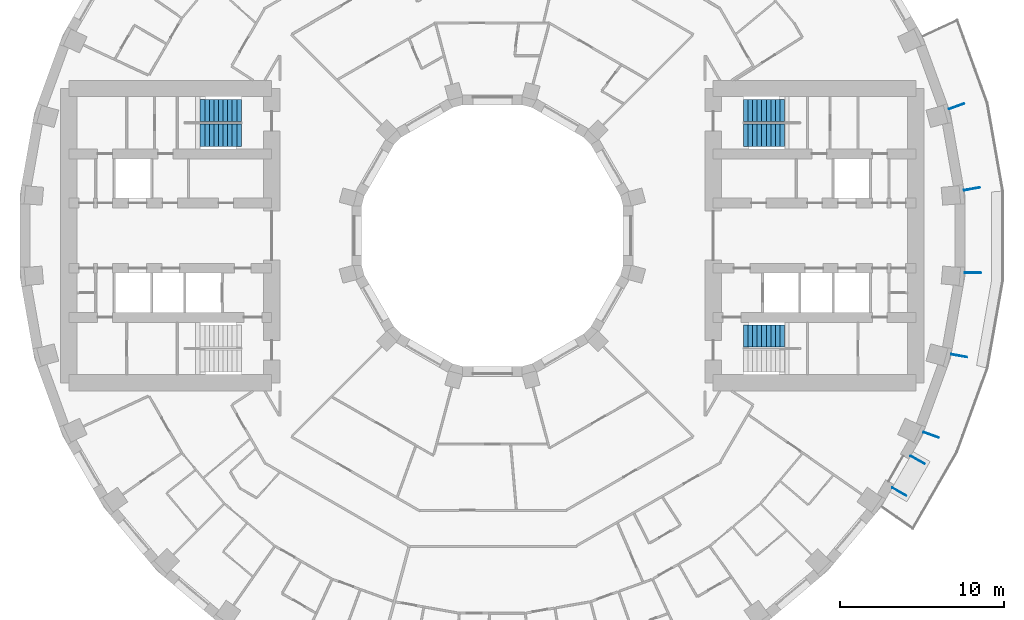
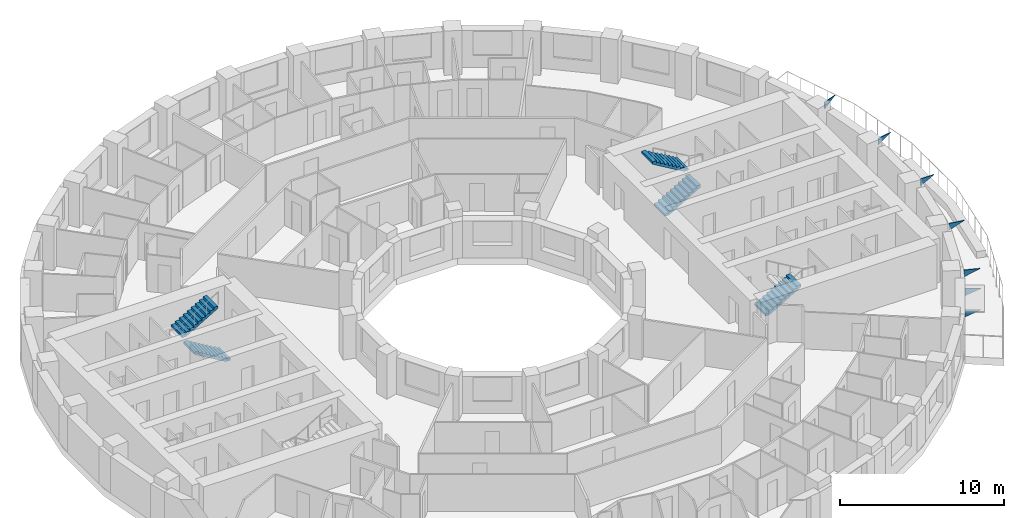
# One storey, part 13 of 14: 7 discrete accessories, 5 stair flights, 3 elements without a shape of their own.
"""IFC4 building model written with IfcOpenShell, lengths in metres."""

import ifcopenshell
import ifcopenshell.guid

model = None  # the IFC model being written
_history = None  # IfcOwnerHistory: only IFC2X3 demands one
_inside = {}  # id of a spatial element -> (the spatial element, [elements in it])
_under = {}  # id of a project, library or spatial element -> (it, [spatial elements below it])
_declared = {}  # id of a project -> (the project, [libraries it declares])
_typed = {}  # id of a type object -> (the type object, [elements of that type])
_made_of = {}  # id of a material, layer set ... -> (it, [elements and type objects made of it])


def new_model(schema):
    """Start an empty IFC model of exactly this schema.

    Asked for "IFC4X3", IfcOpenShell would pick the latest addendum, in which some entities
    have other attributes; the version numbers below select the first issue.
    IFC2X3 requires an IfcOwnerHistory on every rooted entity: one is made here for all.
    """
    global model, _history
    if schema == "IFC4X3":
        model = ifcopenshell.file(schema_version=(4, 3, 0, 0))
    else:
        model = ifcopenshell.file(schema=schema)
    _inside.clear()
    _under.clear()
    _declared.clear()
    _typed.clear()
    _made_of.clear()
    _history = None
    if model.schema == "IFC2X3":
        org = make("IfcOrganization", Name="unknown")
        user = make(
            "IfcPersonAndOrganization",
            ThePerson=make("IfcPerson", FamilyName="unknown"),
            TheOrganization=org,
        )
        app = make(
            "IfcApplication",
            ApplicationDeveloper=org,
            Version="unknown",
            ApplicationFullName="unknown",
            ApplicationIdentifier="unknown",
        )
        _history = make(
            "IfcOwnerHistory",
            OwningUser=user,
            OwningApplication=app,
            ChangeAction="ADDED",
            CreationDate=0,
        )
    return model


def make(cls, **values):
    """One entity of the class cls with the attributes given. An attribute that is None is left unset."""
    return model.create_entity(
        cls, **{name: value for name, value in values.items() if value is not None}
    )


def rooted(cls, **values):
    """An entity with a GlobalId (a new one), such as an element, a storey or a relation."""
    return make(cls, GlobalId=ifcopenshell.guid.new(), OwnerHistory=_history, **values)


def si_unit(unit_type, name, prefix=None):
    """IfcSIUnit, for example si_unit("LENGTHUNIT", "METRE", prefix="MILLI")."""
    return make("IfcSIUnit", UnitType=unit_type, Prefix=prefix, Name=name)


def assignment(units):
    """IfcUnitAssignment: the units of a project."""
    return None if units is None else make("IfcUnitAssignment", Units=units)


def point(xyz):
    """IfcCartesianPoint."""
    return None if xyz is None else make("IfcCartesianPoint", Coordinates=xyz)


def direction(xyz):
    """IfcDirection."""
    return None if xyz is None else make("IfcDirection", DirectionRatios=xyz)


def frame(location, z_axis=None, x_axis=None):
    """IfcAxis2Placement3D, a coordinate frame: its origin and axes. An axis left out is left unset."""
    return make(
        "IfcAxis2Placement3D",
        Location=point(location),
        Axis=direction(z_axis),
        RefDirection=direction(x_axis),
    )


def origin():
    """The frame at (0, 0, 0) with its axes left unset."""
    return frame((0.0, 0.0, 0.0))


def place(relative_to, where):
    """IfcLocalPlacement: puts the frame where relative to a parent placement (None: the world)."""
    return make(
        "IfcLocalPlacement", PlacementRelTo=relative_to, RelativePlacement=where
    )


def context(
    kind, dimensions, precision=None, world=None, true_north=None, identifier=None
):
    """IfcGeometricRepresentationContext, for example the 3D "Model" context."""
    return make(
        "IfcGeometricRepresentationContext",
        ContextIdentifier=identifier,
        ContextType=kind,
        CoordinateSpaceDimension=dimensions,
        Precision=precision,
        WorldCoordinateSystem=world,
        TrueNorth=true_north,
    )


def subcontext(parent, identifier, kind, view, scale=None):
    """IfcGeometricRepresentationSubContext, for example "Body" below "Model"."""
    return make(
        "IfcGeometricRepresentationSubContext",
        ContextIdentifier=identifier,
        ContextType=kind,
        ParentContext=parent,
        TargetScale=scale,
        TargetView=view,
    )


def project(units=None, contexts=None):
    """IfcProject with its units and contexts."""
    return rooted(
        "IfcProject",
        Name="project",
        RepresentationContexts=contexts,
        UnitsInContext=assignment(units),
    )


def spatial(cls, under=None, at=None, **own):
    """A site, building, storey or space (cls), placed at a placement, below another one or the project."""
    s = rooted(cls, ObjectPlacement=at, **own)
    if under is not None:
        _under.setdefault(under.id(), (under, []))[1].append(s)
    return s


def polyline(points):
    """IfcPolyline through the points."""
    return make("IfcPolyline", Points=[point(p) for p in points])


def outline(outer, holes=None, kind="AREA"):
    """IfcArbitraryClosedProfileDef: a profile drawn as a closed curve; with holes, ...WithVoids."""
    if holes is None:
        return make("IfcArbitraryClosedProfileDef", ProfileType=kind, OuterCurve=outer)
    return make(
        "IfcArbitraryProfileDefWithVoids",
        ProfileType=kind,
        OuterCurve=outer,
        InnerCurves=holes,
    )


def extrude(swept, where, along, depth):
    """IfcExtrudedAreaSolid: the profile swept, set in the frame where, extruded along a direction by depth."""
    return make(
        "IfcExtrudedAreaSolid",
        SweptArea=swept,
        Position=where,
        ExtrudedDirection=direction(along),
        Depth=depth,
    )


def shape(context_of_items, identifier, shape_type, items):
    """IfcShapeRepresentation: the items that make up one representation, for example the "Body"."""
    return make(
        "IfcShapeRepresentation",
        ContextOfItems=context_of_items,
        RepresentationIdentifier=identifier,
        RepresentationType=shape_type,
        Items=items,
    )


def material(Name=None, Category=None):
    """IfcMaterial."""
    return make("IfcMaterial", Name=Name, Category=Category)


def layer(
    of_material, thickness, ventilated=None, Name=None, Category=None, Priority=None
):
    """IfcMaterialLayer: one layer of a wall or slab, of a material (None: an air gap)."""
    return make(
        "IfcMaterialLayer",
        Material=of_material,
        LayerThickness=thickness,
        IsVentilated=ventilated,
        Name=Name,
        Category=Category,
        Priority=Priority,
    )


def layer_set(layers, Name=None):
    """IfcMaterialLayerSet."""
    return make("IfcMaterialLayerSet", MaterialLayers=layers, LayerSetName=Name)


def made_of(thing, what):
    """Note that an element or type object is made of a material, layer set ...; save() writes the relation."""
    if what is not None:
        _made_of.setdefault(what.id(), (what, []))[1].append(thing)
    return thing


def type_object(cls, material=None, **own):
    """A type object (cls), such as IfcWallType, which elements share."""
    return made_of(rooted(cls, **own), material)


def element(
    cls,
    number,
    at=None,
    inside=None,
    cuts=None,
    type_object=None,
    material=None,
    context=None,
    identifier="Body",
    shape_type=None,
    held_by="IfcProductDefinitionShape",
    body=None,
    shapes=None,
    **own,
):
    """One element of the class cls, such as IfcWall. Its Tag is "e" and its number.

    at: its placement. inside: the storey or other place that contains it. cuts: it is an
    opening in that element (IfcRelVoidsElement). A single representation is given by context,
    identifier, shape_type and body (its items); several are given by shapes. held_by: the class
    of the entity that holds the representations. save() writes the other relations.
    """
    e = rooted(cls, Tag="e%d" % number, ObjectPlacement=at, **own)
    if body is not None:
        shapes = [shape(context, identifier, shape_type, body)]
    if shapes is not None:
        e.Representation = make(held_by, Representations=shapes)
    if inside is not None:
        _inside.setdefault(inside.id(), (inside, []))[1].append(e)
    if cuts is not None:
        rooted(
            "IfcRelVoidsElement", RelatingBuildingElement=cuts, RelatedOpeningElement=e
        )
    if type_object is not None:
        _typed.setdefault(type_object.id(), (type_object, []))[1].append(e)
    return made_of(e, material)


def aggregate(whole, parts):
    """IfcRelAggregates: a whole, such as a stair, and the parts it consists of."""
    return rooted("IfcRelAggregates", RelatingObject=whole, RelatedObjects=parts)


def save(model, path):
    """Write the relations noted so far, then the file.

    IfcRelAggregates (storeys below a building ...), IfcRelContainedInSpatialStructure (elements
    in a storey), IfcRelDefinesByType, IfcRelAssociatesMaterial and IfcRelDeclares: one each for
    every whole, place, type object, material and project.
    """
    for whole, parts in _under.values():
        aggregate(whole, parts)
    for where, things in _inside.values():
        rooted(
            "IfcRelContainedInSpatialStructure",
            RelatedElements=things,
            RelatingStructure=where,
        )
    for kind, things in _typed.values():
        rooted("IfcRelDefinesByType", RelatedObjects=things, RelatingType=kind)
    for what, things in _made_of.values():
        rooted("IfcRelAssociatesMaterial", RelatedObjects=things, RelatingMaterial=what)
    for by, libraries in _declared.values():
        rooted("IfcRelDeclares", RelatingContext=by, RelatedDefinitions=libraries)
    model.write(path)


model = new_model("IFC4")

# Units and contexts
model_context = context("Model", 3, precision=1e-05, world=origin(), true_north=direction((0.0, 1.0)))
body_context = subcontext(model_context, "Body", "Model", "MODEL_VIEW")
ifc_project = project(units=[si_unit("LENGTHUNIT", "METRE"), si_unit("AREAUNIT", "SQUARE_METRE"), si_unit("VOLUMEUNIT", "CUBIC_METRE"), si_unit("PLANEANGLEUNIT", "RADIAN"), si_unit("MASSUNIT", "GRAM", prefix="KILO")], contexts=[model_context])

# Site, building, storey
site_placement = place(None, origin())
site = spatial("IfcSite", under=ifc_project, at=site_placement, CompositionType="ELEMENT")
building_placement = place(site_placement, origin())
building = spatial("IfcBuilding", under=site, at=building_placement, Name="Saqina Gate Tower", CompositionType="ELEMENT")
storey_placement = place(building_placement, frame((0.0, 0.0, 49.39990234375)))
storey = spatial("IfcBuildingStorey", under=building, at=storey_placement, Name="L13", CompositionType="ELEMENT", Elevation=49.39990234375)

# Stair, stair flights
ifc_material_1 = material(Name="Concrete C40/50", Category="concrete")
stair_type = type_object("IfcStairType", Name="EXIT STAIR", PredefinedType="HALF_TURN_STAIR", material=ifc_material_1)
stair_1_placement = place(storey_placement, origin())
stair_1 = element("IfcStair", 1, at=stair_1_placement, inside=storey, type_object=stair_type, Name="EXIT STAIR 1", PredefinedType="HALF_TURN_STAIR")
ifc_material_2 = material(Name="Concrete C40/50", Category="concrete")
stair_flight_type = type_object("IfcStairFlightType", Name="EXIT STAIR FLIGHT", PredefinedType="STRAIGHT", material=ifc_material_2)
stair_flight_1_placement = place(storey_placement, frame((15.35009765625, 6.1416015625, 0.0), z_axis=(0.0, 0.0, 1.0), x_axis=(1.0, 0.0, 0.0)))
stair_flight_1 = element("IfcStairFlight", 2, at=stair_flight_1_placement, type_object=stair_flight_type, Name="EXIT STAIR 1 FLIGHT 1", NumberOfRisers=10, NumberOfTreads=9, PredefinedType="STRAIGHT", RiserHeight=0.165, TreadLength=0.28, context=body_context, shape_type="SweptSolid", body=[
    extrude(outline(polyline([(0.0, 0.0), (0.0, 0.1650390625), (0.280029296875, 0.1650390625), (0.280029296875, 0.330078125), (0.56005859375, 0.330078125), (0.56005859375, 0.4951171875), (0.840087890625, 0.4951171875), (0.840087890625, 0.659912109375), (1.1201171875, 0.659912109375), (1.1201171875, 0.824951171875), (1.39990234375, 0.824951171875), (1.39990234375, 0.989990234375), (1.679931640625, 0.989990234375), (1.679931640625, 1.155029296875), (1.9599609375, 1.155029296875), (1.9599609375, 1.320068359375), (2.239990234375, 1.320068359375), (2.239990234375, 1.485107421875), (2.52001953125, 1.485107421875), (2.52001953125, 1.64990234375), (2.52001953125, 1.31103515625), (0.295166015625, 0.0), (0.0, 0.0)])), frame((0.0, 0.675048828125, 0.0), z_axis=(0.0, -1.0, 0.0), x_axis=(1.0, 0.0, 0.0)), (0.0, 0.0, 1.0), 1.35009765625),
])
stair_flight_2_placement = place(storey_placement, frame((17.8701171875, 7.658447265625, 1.650146484375), z_axis=(0.0, 0.0, 1.0), x_axis=(-1.0, 0.0, 0.0)))
stair_flight_2 = element("IfcStairFlight", 3, at=stair_flight_2_placement, type_object=stair_flight_type, Name="EXIT STAIR 1 FLIGHT 2", NumberOfRisers=10, NumberOfTreads=9, PredefinedType="STRAIGHT", RiserHeight=0.165, TreadLength=0.28, context=body_context, shape_type="SweptSolid", body=[
    extrude(outline(polyline([(0.0, 0.0), (0.0, 0.1650390625), (0.280029296875, 0.1650390625), (0.280029296875, 0.330078125), (0.56005859375, 0.330078125), (0.56005859375, 0.4951171875), (0.840087890625, 0.4951171875), (0.840087890625, 0.659912109375), (1.1201171875, 0.659912109375), (1.1201171875, 0.824951171875), (1.39990234375, 0.824951171875), (1.39990234375, 0.989990234375), (1.679931640625, 0.989990234375), (1.679931640625, 1.155029296875), (1.9599609375, 1.155029296875), (1.9599609375, 1.320068359375), (2.239990234375, 1.320068359375), (2.239990234375, 1.485107421875), (2.52001953125, 1.485107421875), (2.52001953125, 1.64990234375), (2.52001953125, 1.31103515625), (0.295166015625, 0.0), (0.0, 0.0)])), frame((0.0, 0.675048828125, 0.0), z_axis=(0.0, -1.0, 0.0), x_axis=(1.0, 0.0, 0.0)), (0.0, 0.0, 1.0), 1.35009765625),
])
aggregate(stair_1, [stair_flight_1, stair_flight_2])

# Stair, stair flight
stair_2_placement = place(storey_placement, origin())
stair_2 = element("IfcStair", 4, at=stair_2_placement, inside=storey, type_object=stair_type, Name="EXIT STAIR 2", PredefinedType="HALF_TURN_STAIR")
stair_flight_3_placement = place(storey_placement, frame((15.35009765625, -6.1416015625, 0.0), z_axis=(0.0, 0.0, 1.0), x_axis=(1.0, 0.0, 0.0)))
stair_flight_3 = element("IfcStairFlight", 5, at=stair_flight_3_placement, type_object=stair_flight_type, Name="EXIT STAIR 2 FLIGHT 1", NumberOfRisers=10, NumberOfTreads=9, PredefinedType="STRAIGHT", RiserHeight=0.165, TreadLength=0.28, context=body_context, shape_type="SweptSolid", body=[
    extrude(outline(polyline([(0.0, 0.0), (0.0, 0.1650390625), (0.280029296875, 0.1650390625), (0.280029296875, 0.330078125), (0.56005859375, 0.330078125), (0.56005859375, 0.4951171875), (0.840087890625, 0.4951171875), (0.840087890625, 0.659912109375), (1.1201171875, 0.659912109375), (1.1201171875, 0.824951171875), (1.39990234375, 0.824951171875), (1.39990234375, 0.989990234375), (1.679931640625, 0.989990234375), (1.679931640625, 1.155029296875), (1.9599609375, 1.155029296875), (1.9599609375, 1.320068359375), (2.239990234375, 1.320068359375), (2.239990234375, 1.485107421875), (2.52001953125, 1.485107421875), (2.52001953125, 1.64990234375), (2.52001953125, 1.31103515625), (0.295166015625, 0.0), (0.0, 0.0)])), frame((0.0, 0.675048828125, 0.0), z_axis=(0.0, -1.0, 0.0), x_axis=(1.0, 0.0, 0.0)), (0.0, 0.0, 1.0), 1.35009765625),
])
aggregate(stair_2, [stair_flight_3])

# Stair, stair flights
stair_3_placement = place(storey_placement, origin())
stair_3 = element("IfcStair", 6, at=stair_3_placement, inside=storey, type_object=stair_type, Name="EXIT STAIR 3", PredefinedType="HALF_TURN_STAIR")
stair_flight_4_placement = place(storey_placement, frame((-15.35009765625, 6.1416015625, 0.0), z_axis=(0.0, 0.0, 1.0), x_axis=(-1.0, 0.0, 0.0)))
stair_flight_4 = element("IfcStairFlight", 7, at=stair_flight_4_placement, type_object=stair_flight_type, Name="EXIT STAIR 3 FLIGHT 1", NumberOfRisers=10, NumberOfTreads=9, PredefinedType="STRAIGHT", RiserHeight=0.165, TreadLength=0.28, context=body_context, shape_type="SweptSolid", body=[
    extrude(outline(polyline([(0.0, 0.0), (0.0, 0.1650390625), (0.280029296875, 0.1650390625), (0.280029296875, 0.330078125), (0.56005859375, 0.330078125), (0.56005859375, 0.4951171875), (0.840087890625, 0.4951171875), (0.840087890625, 0.659912109375), (1.1201171875, 0.659912109375), (1.1201171875, 0.824951171875), (1.39990234375, 0.824951171875), (1.39990234375, 0.989990234375), (1.679931640625, 0.989990234375), (1.679931640625, 1.155029296875), (1.9599609375, 1.155029296875), (1.9599609375, 1.320068359375), (2.239990234375, 1.320068359375), (2.239990234375, 1.485107421875), (2.52001953125, 1.485107421875), (2.52001953125, 1.64990234375), (2.52001953125, 1.31103515625), (0.295166015625, 0.0), (0.0, 0.0)])), frame((0.0, 0.675048828125, 0.0), z_axis=(0.0, -1.0, 0.0), x_axis=(1.0, 0.0, 0.0)), (0.0, 0.0, 1.0), 1.35009765625),
])
stair_flight_5_placement = place(storey_placement, frame((-17.8701171875, 7.658447265625, 1.650146484375), z_axis=(0.0, 0.0, 1.0), x_axis=(1.0, 0.0, 0.0)))
stair_flight_5 = element("IfcStairFlight", 8, at=stair_flight_5_placement, type_object=stair_flight_type, Name="EXIT STAIR 3 FLIGHT 2", NumberOfRisers=10, NumberOfTreads=9, PredefinedType="STRAIGHT", RiserHeight=0.165, TreadLength=0.28, context=body_context, shape_type="SweptSolid", body=[
    extrude(outline(polyline([(0.0, 0.0), (0.0, 0.1650390625), (0.280029296875, 0.1650390625), (0.280029296875, 0.330078125), (0.56005859375, 0.330078125), (0.56005859375, 0.4951171875), (0.840087890625, 0.4951171875), (0.840087890625, 0.659912109375), (1.1201171875, 0.659912109375), (1.1201171875, 0.824951171875), (1.39990234375, 0.824951171875), (1.39990234375, 0.989990234375), (1.679931640625, 0.989990234375), (1.679931640625, 1.155029296875), (1.9599609375, 1.155029296875), (1.9599609375, 1.320068359375), (2.239990234375, 1.320068359375), (2.239990234375, 1.485107421875), (2.52001953125, 1.485107421875), (2.52001953125, 1.64990234375), (2.52001953125, 1.31103515625), (0.295166015625, 0.0), (0.0, 0.0)])), frame((0.0, 0.675048828125, 0.0), z_axis=(0.0, -1.0, 0.0), x_axis=(1.0, 0.0, 0.0)), (0.0, 0.0, 1.0), 1.35009765625),
])
aggregate(stair_3, [stair_flight_4, stair_flight_5])

# Discrete accessories
ifc_material_3 = material(Name="Galvanised steel", Category="steel")
ifc_layer_1 = layer(ifc_material_3, 0.050048828125)
ifc_layer_set_1 = layer_set([ifc_layer_1], Name="BR-AWNING")
discrete_accessory_type_1 = type_object("IfcDiscreteAccessoryType", Name="BR-AWNING", PredefinedType="BRACKET", material=ifc_layer_set_1)
discrete_accessory_1_placement = place(storey_placement, frame((24.47021484375, -15.395751953125, 1.97509765625), z_axis=(0.50002537861, 0.866010750942, 0.0), x_axis=(0.0, 0.0, 1.0)))
element("IfcDiscreteAccessory", 9, at=discrete_accessory_1_placement, inside=storey, type_object=discrete_accessory_type_1, Name="Awning bracket L13 facet 33", PredefinedType="BRACKET", context=body_context, shape_type="SweptSolid", body=[
    extrude(outline(polyline([(0.0, 0.0), (0.550048828125, 0.0), (0.550048828125, 0.9999492453569568), (0.0, 0.0)])), origin(), (0.0, 0.0, -1.0), 0.050048828125),
])
discrete_accessory_2_placement = place(storey_placement, frame((25.593017578125, -13.45068359375, 1.97509765625), z_axis=(0.499919672301, 0.866071776036, 0.0), x_axis=(0.0, 0.0, 1.0)))
element("IfcDiscreteAccessory", 10, at=discrete_accessory_2_placement, inside=storey, type_object=discrete_accessory_type_1, Name="Awning bracket L13 facet 33", PredefinedType="BRACKET", context=body_context, shape_type="SweptSolid", body=[
    extrude(outline(polyline([(0.0, 0.0), (0.550048828125, 0.0), (0.550048828125, 1.0001606812130883), (0.0, 0.0)])), origin(), (0.0, 0.0, -1.0), 0.050048828125),
])
ifc_material_4 = material(Name="Galvanised steel", Category="steel")
ifc_layer_2 = layer(ifc_material_4, 0.050048828125)
ifc_layer_set_2 = layer_set([ifc_layer_2], Name="BR-GUSSET")
discrete_accessory_type_2 = type_object("IfcDiscreteAccessoryType", Name="BR-GUSSET", PredefinedType="BRACKET", material=ifc_layer_set_2)
discrete_accessory_3_placement = place(storey_placement, frame((26.376953125, -11.99755859375, 2.25), z_axis=(0.342037080957, 0.939686455819, 0.0), x_axis=(0.0, 0.0, 1.0)))
element("IfcDiscreteAccessory", 11, at=discrete_accessory_3_placement, inside=storey, type_object=discrete_accessory_type_2, Name="Terrace slab bracket L14 1", PredefinedType="BRACKET", context=body_context, shape_type="SweptSolid", body=[
    extrude(outline(polyline([(0.0, 0.0), (0.5, 0.0), (0.5, 1.000011503630275), (0.0, 0.0)])), origin(), (0.0, 0.0, -1.0), 0.050048828125),
])
discrete_accessory_4_placement = place(storey_placement, frame((28.0595703125, -7.23486328125, 2.25), z_axis=(0.173813186416, 0.984778643263, 0.0), x_axis=(0.0, 0.0, 1.0)))
element("IfcDiscreteAccessory", 12, at=discrete_accessory_4_placement, inside=storey, type_object=discrete_accessory_type_2, Name="Terrace slab bracket L14 2", PredefinedType="BRACKET", context=body_context, shape_type="SweptSolid", body=[
    extrude(outline(polyline([(0.0, 0.0), (0.5, 0.0), (0.5, 1.000085946204391), (0.0, 0.0)])), origin(), (0.0, 0.0, -1.0), 0.050048828125),
])
discrete_accessory_5_placement = place(storey_placement, frame((28.8896484375, -2.25244140625, 2.25), z_axis=(0.0, 1.0, 0.0), x_axis=(0.0, 0.0, 1.0)))
element("IfcDiscreteAccessory", 13, at=discrete_accessory_5_placement, inside=storey, type_object=discrete_accessory_type_2, Name="Terrace slab bracket L14 3", PredefinedType="BRACKET", context=body_context, shape_type="SweptSolid", body=[
    extrude(outline(polyline([(0.0, 0.0), (0.5, 0.0), (0.5, 1.0), (0.0, 0.0)])), origin(), (0.0, 0.0, -1.0), 0.050048828125),
])
discrete_accessory_6_placement = place(storey_placement, frame((28.841796875, 2.79833984375, 2.25), z_axis=(-0.173576426815, 0.984820401928, 0.0), x_axis=(0.0, 0.0, 1.0)))
element("IfcDiscreteAccessory", 14, at=discrete_accessory_6_placement, inside=storey, type_object=discrete_accessory_type_2, Name="Terrace slab bracket L14 4", PredefinedType="BRACKET", context=body_context, shape_type="SweptSolid", body=[
    extrude(outline(polyline([(0.0, 0.0), (0.5, 0.0), (0.5, 1.000043540245132), (0.0, 0.0)])), origin(), (0.0, 0.0, -1.0), 0.050048828125),
])
discrete_accessory_7_placement = place(storey_placement, frame((27.917724609375, 7.76416015625, 2.25), z_axis=(-0.342037080957, 0.939686455819, 0.0), x_axis=(0.0, 0.0, 1.0)))
element("IfcDiscreteAccessory", 15, at=discrete_accessory_7_placement, inside=storey, type_object=discrete_accessory_type_2, Name="Terrace slab bracket L14 5", PredefinedType="BRACKET", context=body_context, shape_type="SweptSolid", body=[
    extrude(outline(polyline([(0.0, 0.0), (0.5, 0.0), (0.5, 1.000011503630275), (0.0, 0.0)])), origin(), (0.0, 0.0, -1.0), 0.050048828125),
])

save(model, "model.ifc")
